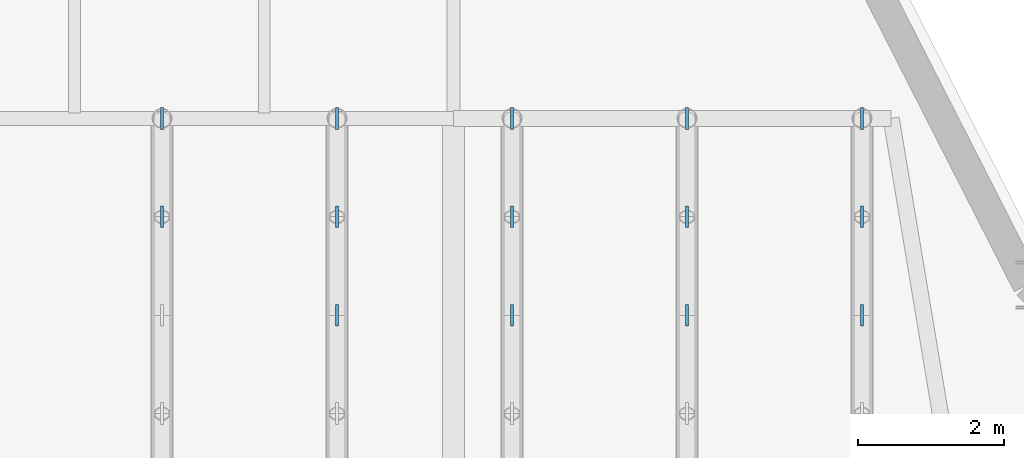
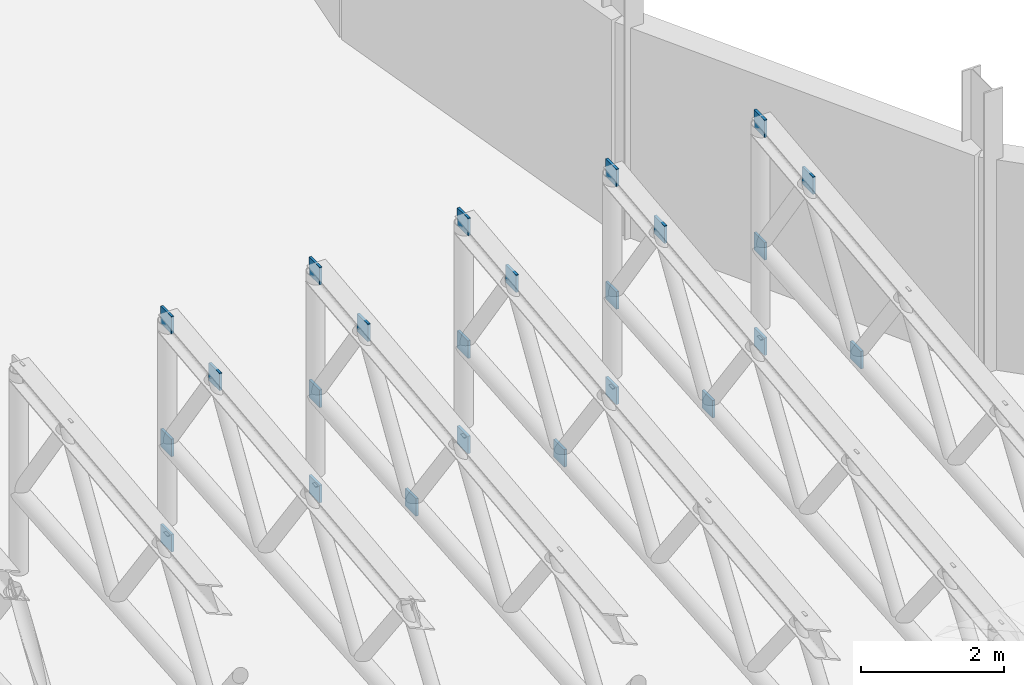
# One storey, part 37 of 58: 24 plates.
"""IFC4 building model written with IfcOpenShell, lengths in metres."""

import ifcopenshell
import ifcopenshell.guid

model = None  # the IFC model being written
_history = None  # IfcOwnerHistory: only IFC2X3 demands one
_inside = {}  # id of a spatial element -> (the spatial element, [elements in it])
_under = {}  # id of a project, library or spatial element -> (it, [spatial elements below it])
_declared = {}  # id of a project -> (the project, [libraries it declares])
_typed = {}  # id of a type object -> (the type object, [elements of that type])
_made_of = {}  # id of a material, layer set ... -> (it, [elements and type objects made of it])


def new_model(schema):
    """Start an empty IFC model of exactly this schema.

    Asked for "IFC4X3", IfcOpenShell would pick the latest addendum, in which some entities
    have other attributes; the version numbers below select the first issue.
    IFC2X3 requires an IfcOwnerHistory on every rooted entity: one is made here for all.
    """
    global model, _history
    if schema == "IFC4X3":
        model = ifcopenshell.file(schema_version=(4, 3, 0, 0))
    else:
        model = ifcopenshell.file(schema=schema)
    _inside.clear()
    _under.clear()
    _declared.clear()
    _typed.clear()
    _made_of.clear()
    _history = None
    if model.schema == "IFC2X3":
        org = make("IfcOrganization", Name="unknown")
        user = make(
            "IfcPersonAndOrganization",
            ThePerson=make("IfcPerson", FamilyName="unknown"),
            TheOrganization=org,
        )
        app = make(
            "IfcApplication",
            ApplicationDeveloper=org,
            Version="unknown",
            ApplicationFullName="unknown",
            ApplicationIdentifier="unknown",
        )
        _history = make(
            "IfcOwnerHistory",
            OwningUser=user,
            OwningApplication=app,
            ChangeAction="ADDED",
            CreationDate=0,
        )
    return model


def make(cls, **values):
    """One entity of the class cls with the attributes given. An attribute that is None is left unset."""
    return model.create_entity(
        cls, **{name: value for name, value in values.items() if value is not None}
    )


def rooted(cls, **values):
    """An entity with a GlobalId (a new one), such as an element, a storey or a relation."""
    return make(cls, GlobalId=ifcopenshell.guid.new(), OwnerHistory=_history, **values)


def si_unit(unit_type, name, prefix=None):
    """IfcSIUnit, for example si_unit("LENGTHUNIT", "METRE", prefix="MILLI")."""
    return make("IfcSIUnit", UnitType=unit_type, Prefix=prefix, Name=name)


def assignment(units):
    """IfcUnitAssignment: the units of a project."""
    return None if units is None else make("IfcUnitAssignment", Units=units)


def point(xyz):
    """IfcCartesianPoint."""
    return None if xyz is None else make("IfcCartesianPoint", Coordinates=xyz)


def direction(xyz):
    """IfcDirection."""
    return None if xyz is None else make("IfcDirection", DirectionRatios=xyz)


def frame(location, z_axis=None, x_axis=None):
    """IfcAxis2Placement3D, a coordinate frame: its origin and axes. An axis left out is left unset."""
    return make(
        "IfcAxis2Placement3D",
        Location=point(location),
        Axis=direction(z_axis),
        RefDirection=direction(x_axis),
    )


def frame_2d(location, x_axis=None):
    """IfcAxis2Placement2D, a coordinate frame in the plane: its origin and x axis."""
    return make(
        "IfcAxis2Placement2D", Location=point(location), RefDirection=direction(x_axis)
    )


def origin():
    """The frame at (0, 0, 0) with its axes left unset."""
    return frame((0.0, 0.0, 0.0))


def origin_2d():
    """The frame at (0, 0) in the plane with its x axis left unset."""
    return frame_2d((0.0, 0.0))


def place(relative_to, where):
    """IfcLocalPlacement: puts the frame where relative to a parent placement (None: the world)."""
    return make(
        "IfcLocalPlacement", PlacementRelTo=relative_to, RelativePlacement=where
    )


def context(
    kind, dimensions, precision=None, world=None, true_north=None, identifier=None
):
    """IfcGeometricRepresentationContext, for example the 3D "Model" context."""
    return make(
        "IfcGeometricRepresentationContext",
        ContextIdentifier=identifier,
        ContextType=kind,
        CoordinateSpaceDimension=dimensions,
        Precision=precision,
        WorldCoordinateSystem=world,
        TrueNorth=true_north,
    )


def subcontext(parent, identifier, kind, view, scale=None):
    """IfcGeometricRepresentationSubContext, for example "Body" below "Model"."""
    return make(
        "IfcGeometricRepresentationSubContext",
        ContextIdentifier=identifier,
        ContextType=kind,
        ParentContext=parent,
        TargetScale=scale,
        TargetView=view,
    )


def project(units=None, contexts=None):
    """IfcProject with its units and contexts."""
    return rooted(
        "IfcProject",
        Name="project",
        RepresentationContexts=contexts,
        UnitsInContext=assignment(units),
    )


def spatial(cls, under=None, at=None, **own):
    """A site, building, storey or space (cls), placed at a placement, below another one or the project."""
    s = rooted(cls, ObjectPlacement=at, **own)
    if under is not None:
        _under.setdefault(under.id(), (under, []))[1].append(s)
    return s


def profile(cls, at=None, kind="AREA", **sizes):
    """A parametric profile (cls). Its sizes go by their IFC names, for example OverallWidth=200.0."""
    return make(cls, ProfileType=kind, Position=at, **sizes)


def rectangle(**sizes):
    """IfcRectangleProfileDef."""
    return profile("IfcRectangleProfileDef", **sizes)


def extrude(swept, where, along, depth):
    """IfcExtrudedAreaSolid: the profile swept, set in the frame where, extruded along a direction by depth."""
    return make(
        "IfcExtrudedAreaSolid",
        SweptArea=swept,
        Position=where,
        ExtrudedDirection=direction(along),
        Depth=depth,
    )


def shape(context_of_items, identifier, shape_type, items):
    """IfcShapeRepresentation: the items that make up one representation, for example the "Body"."""
    return make(
        "IfcShapeRepresentation",
        ContextOfItems=context_of_items,
        RepresentationIdentifier=identifier,
        RepresentationType=shape_type,
        Items=items,
    )


def material(Name=None, Category=None):
    """IfcMaterial."""
    return make("IfcMaterial", Name=Name, Category=Category)


def layer(
    of_material, thickness, ventilated=None, Name=None, Category=None, Priority=None
):
    """IfcMaterialLayer: one layer of a wall or slab, of a material (None: an air gap)."""
    return make(
        "IfcMaterialLayer",
        Material=of_material,
        LayerThickness=thickness,
        IsVentilated=ventilated,
        Name=Name,
        Category=Category,
        Priority=Priority,
    )


def layer_set(layers, Name=None):
    """IfcMaterialLayerSet."""
    return make("IfcMaterialLayerSet", MaterialLayers=layers, LayerSetName=Name)


def made_of(thing, what):
    """Note that an element or type object is made of a material, layer set ...; save() writes the relation."""
    if what is not None:
        _made_of.setdefault(what.id(), (what, []))[1].append(thing)
    return thing


def type_object(cls, material=None, **own):
    """A type object (cls), such as IfcWallType, which elements share."""
    return made_of(rooted(cls, **own), material)


def element(
    cls,
    number,
    at=None,
    inside=None,
    cuts=None,
    type_object=None,
    material=None,
    context=None,
    identifier="Body",
    shape_type=None,
    held_by="IfcProductDefinitionShape",
    body=None,
    shapes=None,
    **own,
):
    """One element of the class cls, such as IfcWall. Its Tag is "e" and its number.

    at: its placement. inside: the storey or other place that contains it. cuts: it is an
    opening in that element (IfcRelVoidsElement). A single representation is given by context,
    identifier, shape_type and body (its items); several are given by shapes. held_by: the class
    of the entity that holds the representations. save() writes the other relations.
    """
    e = rooted(cls, Tag="e%d" % number, ObjectPlacement=at, **own)
    if body is not None:
        shapes = [shape(context, identifier, shape_type, body)]
    if shapes is not None:
        e.Representation = make(held_by, Representations=shapes)
    if inside is not None:
        _inside.setdefault(inside.id(), (inside, []))[1].append(e)
    if cuts is not None:
        rooted(
            "IfcRelVoidsElement", RelatingBuildingElement=cuts, RelatedOpeningElement=e
        )
    if type_object is not None:
        _typed.setdefault(type_object.id(), (type_object, []))[1].append(e)
    return made_of(e, material)


def aggregate(whole, parts):
    """IfcRelAggregates: a whole, such as a stair, and the parts it consists of."""
    return rooted("IfcRelAggregates", RelatingObject=whole, RelatedObjects=parts)


def save(model, path):
    """Write the relations noted so far, then the file.

    IfcRelAggregates (storeys below a building ...), IfcRelContainedInSpatialStructure (elements
    in a storey), IfcRelDefinesByType, IfcRelAssociatesMaterial and IfcRelDeclares: one each for
    every whole, place, type object, material and project.
    """
    for whole, parts in _under.values():
        aggregate(whole, parts)
    for where, things in _inside.values():
        rooted(
            "IfcRelContainedInSpatialStructure",
            RelatedElements=things,
            RelatingStructure=where,
        )
    for kind, things in _typed.values():
        rooted("IfcRelDefinesByType", RelatedObjects=things, RelatingType=kind)
    for what, things in _made_of.values():
        rooted("IfcRelAssociatesMaterial", RelatedObjects=things, RelatingMaterial=what)
    for by, libraries in _declared.values():
        rooted("IfcRelDeclares", RelatingContext=by, RelatedDefinitions=libraries)
    model.write(path)


model = new_model("IFC4")

# Units and contexts
model_context = context("Model", 3, precision=1e-05, world=origin(), true_north=direction((0.0, 1.0)))
body_context = subcontext(model_context, "Body", "Model", "MODEL_VIEW")
ifc_project = project(units=[si_unit("LENGTHUNIT", "METRE"), si_unit("AREAUNIT", "SQUARE_METRE"), si_unit("VOLUMEUNIT", "CUBIC_METRE"), si_unit("PLANEANGLEUNIT", "RADIAN"), si_unit("MASSUNIT", "GRAM", prefix="KILO")], contexts=[model_context])

# Site, building, storey
site_placement = place(None, origin())
site = spatial("IfcSite", under=ifc_project, at=site_placement, CompositionType="ELEMENT")
building_placement = place(site_placement, origin())
building = spatial("IfcBuilding", under=site, at=building_placement, Name="Sefraquen Railside Congress Hotel", CompositionType="ELEMENT")
storey_placement = place(building_placement, frame((0.0, 0.0, 16.199951171875)))
storey = spatial("IfcBuildingStorey", under=building, at=storey_placement, Name="L03", CompositionType="ELEMENT", Elevation=16.199951171875)

# Plates
ifc_material = material(Name="Steel S355J2", Category="steel")
ifc_layer = layer(ifc_material, 0.0400390625)
ifc_layer_set = layer_set([ifc_layer], Name="Steel S355J2")
plate_type = type_object("IfcPlateType", Name="TP-GUS-02", PredefinedType="SHEET", material=ifc_layer_set)
for number, where, z_axis, x_axis, name in (
    (1, (36.800048828125, 16.64990234375, 3.14794921875), (0.0, 0.0, 1.0), (1.0, 0.0, 0.0), "Canopy truss node gusset plate 07.18"),
    (2, (36.800048828125, 18.0, -0.43017578125), (0.0, 0.0, 1.0), (1.0, 0.0, 0.0), "Canopy truss node gusset plate 07.19"),
    (3, (36.800048828125, 18.0, 1.2001953125), (0.0, 0.0, 1.0), (1.0, 0.0, 0.0), "Canopy truss node gusset plate 07.20"),
    (4, (36.800048828125, 18.0, 3.2998046875), (0.0, 0.0, 1.0), (1.0, 0.0, 0.0), "Canopy truss node gusset plate 07.21"),
    (5, (39.199951171875, 15.300048828125, 0.97900390625), (0.0, 0.0, 1.0), (1.0, 0.0, 0.0), "Canopy truss node gusset plate 08.17"),
    (6, (39.199951171875, 16.64990234375, 3.14794921875), (0.0, 0.0, 1.0), (1.0, 0.0, 0.0), "Canopy truss node gusset plate 08.18"),
    (7, (39.199951171875, 18.0, -0.43017578125), (0.0, 0.0, 1.0), (1.0, 0.0, 0.0), "Canopy truss node gusset plate 08.19"),
    (8, (39.199951171875, 18.0, 1.2001953125), (0.0, 0.0, 1.0), (1.0, 0.0, 0.0), "Canopy truss node gusset plate 08.20"),
    (9, (39.199951171875, 18.0, 3.2998046875), (0.0, 0.0, 1.0), (1.0, 0.0, 0.0), "Canopy truss node gusset plate 08.21"),
    (10, (41.60009765625, 15.300048828125, 0.97900390625), (0.0, 0.0, 1.0), (1.0, 0.0, 0.0), "Canopy truss node gusset plate 09.17"),
    (11, (41.60009765625, 16.64990234375, 3.14697265625), (0.0, 0.0, 1.0), (1.0, 0.0, 0.0), "Canopy truss node gusset plate 09.18"),
    (12, (41.60009765625, 18.0, -0.43017578125), (0.0, 0.0, 1.0), (1.0, 0.0, 0.0), "Canopy truss node gusset plate 09.19"),
    (13, (41.60009765625, 18.0, 1.2001953125), (0.0, 0.0, 1.0), (1.0, 0.0, 0.0), "Canopy truss node gusset plate 09.20"),
    (14, (41.60009765625, 18.0, 3.2998046875), (0.0, 0.0, 1.0), (1.0, 0.0, 0.0), "Canopy truss node gusset plate 09.21"),
    (15, (44.0, 15.300048828125, 0.97900390625), (0.0, 0.0, 1.0), (1.0, 0.0, 0.0), "Canopy truss node gusset plate 10.17"),
    (16, (44.0, 16.64990234375, 3.14599609375), (0.0, 0.0, 1.0), (1.0, 0.0, 0.0), "Canopy truss node gusset plate 10.18"),
    (17, (44.0, 18.0, -0.43017578125), (0.0, 0.0, 1.0), (1.0, 0.0, 0.0), "Canopy truss node gusset plate 10.19"),
    (18, (44.0, 18.0, 1.2001953125), (0.0, 0.0, 1.0), (1.0, 0.0, 0.0), "Canopy truss node gusset plate 10.20"),
    (19, (44.0, 18.0, 3.2998046875), (0.0, 0.0, 1.0), (1.0, 0.0, 0.0), "Canopy truss node gusset plate 10.21"),
    (20, (46.39990234375, 15.300048828125, 0.97900390625), (0.0, 0.0, 1.0), (1.0, 0.0, 0.0), "Canopy truss node gusset plate 11.16"),
    (21, (46.39990234375, 16.64990234375, 3.14404296875), (0.0, 0.0, 1.0), (1.0, 0.0, 0.0), "Canopy truss node gusset plate 11.17"),
    (22, (46.39990234375, 18.0, -0.43017578125), (0.0, 0.0, 1.0), (1.0, 0.0, 0.0), "Canopy truss node gusset plate 11.18"),
    (23, (46.39990234375, 18.0, 1.2001953125), (0.0, 0.0, 1.0), (1.0, 0.0, 0.0), "Canopy truss node gusset plate 11.19"),
    (24, (46.39990234375, 18.0, 3.2998046875), (0.0, 0.0, 1.0), (1.0, 0.0, 0.0), "Canopy truss node gusset plate 11.20"),
):
    element("IfcPlate", number, at=place(storey_placement, frame(where, z_axis=z_axis, x_axis=x_axis)), inside=storey, type_object=plate_type, Name=name, PredefinedType="SHEET", context=body_context, shape_type="SweptSolid", body=[
        extrude(rectangle(XDim=0.0400390625, YDim=0.300048828125, at=origin_2d()), origin(), (0.0, 0.0, 1.0), 0.300048828125),
    ])

save(model, "model.ifc")
